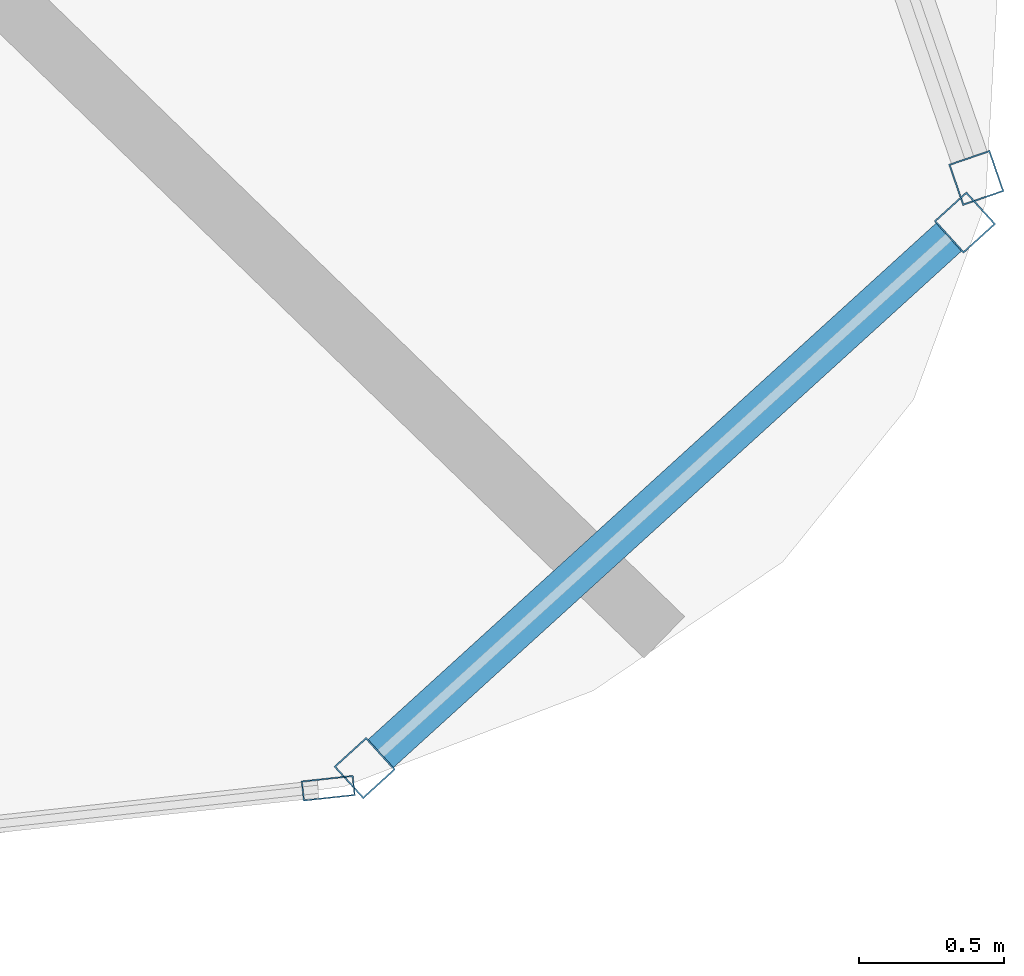
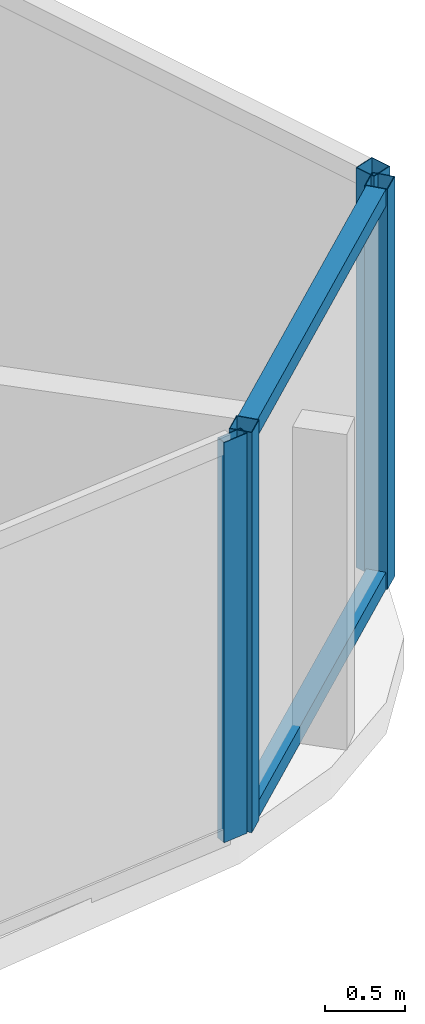
# One storey, part 14 of 34: 6 members, 3 elements without a shape of their own.
"""IFC4 building model written with IfcOpenShell, lengths in metres."""

from ifc_helpers import new_model, si_unit, direction, frame, origin, origin_2d, place, context, subcontext, project, spatial, hollow_rectangle, extrude, material, layer, layer_set, material_profile, profile_set, type_object, element, aggregate, save


model = new_model("IFC4")

# Units and contexts
model_context = context("Model", 3, precision=1e-05, world=origin(), true_north=direction((0.0, 1.0)))
body_context = subcontext(model_context, "Body", "Model", "MODEL_VIEW")
ifc_project = project(units=[si_unit("LENGTHUNIT", "METRE"), si_unit("AREAUNIT", "SQUARE_METRE"), si_unit("VOLUMEUNIT", "CUBIC_METRE"), si_unit("PLANEANGLEUNIT", "RADIAN"), si_unit("MASSUNIT", "GRAM", prefix="KILO")], contexts=[model_context])

# Site, building, storey
site_placement = place(None, origin())
site = spatial("IfcSite", under=ifc_project, at=site_placement, CompositionType="ELEMENT")
building_placement = place(site_placement, origin())
building = spatial("IfcBuilding", under=site, at=building_placement, Name="Orvanel Arch Residences", CompositionType="ELEMENT")
storey_placement = place(building_placement, frame((0.0, 0.0, 64.25)))
storey = spatial("IfcBuildingStorey", under=building, at=storey_placement, Name="L17", CompositionType="ELEMENT", Elevation=64.25)

# Curtain wall, members
ifc_material = material(Name="Bronze-anodised aluminium AA6063-T6", Category="aluminium")
ifc_layer_1 = layer(ifc_material, 0.18994140625)
ifc_layer_set_1 = layer_set([ifc_layer_1], Name="Bronze-anodised aluminium AA6063-T6")
curtain_wall_type_1 = type_object("IfcCurtainWallType", Name="CW5-CRN-SYS", PredefinedType="NOTDEFINED", material=ifc_layer_set_1)
curtain_wall_1_placement = place(storey_placement, origin())
curtain_wall_1 = element("IfcCurtainWall", 1, at=curtain_wall_1_placement, inside=storey, type_object=curtain_wall_type_1, Name="L17 CW5-CRN-SYS Unitised Curtain Wall", PredefinedType="NOTDEFINED")
ifc_material_profile_1 = material_profile(ifc_material, hollow_rectangle(XDim=0.14990234375, YDim=0.14990234375, WallThickness=0.0048828125, at=origin_2d()), Name="ALU150x150x5")
ifc_profile_set_1 = profile_set([ifc_material_profile_1], Name="Bronze-anodised aluminium AA6063-T6")
member_type_1 = type_object("IfcMemberType", Name="MUL-150x150", PredefinedType="MULLION", material=ifc_profile_set_1)
member_1_placement = place(storey_placement, frame((58.722412109375, 4.115478515625, 0.0), z_axis=(0.0, 0.0, 1.0), x_axis=(-0.672621989793, 0.73998625585, 0.0)))
member_1 = element("IfcMember", 2, at=member_1_placement, type_object=member_type_1, Name="CW-S5 mullion 1", PredefinedType="MULLION", context=body_context, shape_type="SweptSolid", body=[
    extrude(hollow_rectangle(XDim=0.14990234375, YDim=0.14990234375, WallThickness=0.0048828125, at=origin_2d()), origin(), (0.0, 0.0, 1.0), 3.06005859375),
])
member_2_placement = place(storey_placement, frame((60.78662109375, 5.991455078125, 0.0), z_axis=(0.0, 0.0, 1.0), x_axis=(-0.672621989793, 0.73998625585, 0.0)))
member_2 = element("IfcMember", 3, at=member_2_placement, type_object=member_type_1, Name="CW-S5 mullion 2", PredefinedType="MULLION", context=body_context, shape_type="SweptSolid", body=[
    extrude(hollow_rectangle(XDim=0.14990234375, YDim=0.14990234375, WallThickness=0.0048828125, at=origin_2d()), origin(), (0.0, 0.0, 1.0), 3.06005859375),
])

# Curtain wall, member
curtain_wall_2_placement = place(storey_placement, origin())
curtain_wall_2 = element("IfcCurtainWall", 4, at=curtain_wall_2_placement, inside=storey, type_object=curtain_wall_type_1, Name="L17 CW5-CRN-SYS Unitised Curtain Wall", PredefinedType="NOTDEFINED")
member_3_placement = place(storey_placement, frame((60.82568359375, 6.14501953125, 0.0), z_axis=(0.0, 0.0, 1.0), x_axis=(-0.945657194416, -0.325165297425, 0.0)))
member_3 = element("IfcMember", 5, at=member_3_placement, type_object=member_type_1, Name="CW-S5 mullion 1", PredefinedType="MULLION", context=body_context, shape_type="SweptSolid", body=[
    extrude(hollow_rectangle(XDim=0.14990234375, YDim=0.14990234375, WallThickness=0.0048828125, at=origin_2d()), origin(), (0.0, 0.0, 1.0), 3.06005859375),
])
aggregate(curtain_wall_2, [member_3])

ifc_layer_2 = layer(ifc_material, 0.179931640625)
ifc_layer_set_2 = layer_set([ifc_layer_2], Name="Bronze-anodised aluminium AA6063-T6")
curtain_wall_type_2 = type_object("IfcCurtainWallType", Name="CW2-LOW-SYS", PredefinedType="NOTDEFINED", material=ifc_layer_set_2)
curtain_wall_3_placement = place(storey_placement, origin())
curtain_wall_3 = element("IfcCurtainWall", 6, at=curtain_wall_3_placement, inside=storey, type_object=curtain_wall_type_2, Name="L17 CW2-LOW-SYS Unitised Curtain Wall", PredefinedType="NOTDEFINED")
ifc_material_profile_2 = material_profile(ifc_material, hollow_rectangle(XDim=0.070068359375, YDim=0.179931640625, WallThickness=0.00439453125, at=origin_2d()), Name="ALU180x70x4.5")
ifc_profile_set_2 = profile_set([ifc_material_profile_2], Name="Bronze-anodised aluminium AA6063-T6")
member_type_2 = type_object("IfcMemberType", Name="MUL-180x70", PredefinedType="MULLION", material=ifc_profile_set_2)
member_4_placement = place(storey_placement, frame((58.59716796875, 4.046142578125, 0.0), z_axis=(0.0, 0.0, 1.0), x_axis=(-0.107811076303, 0.994171399622, 0.0)))
member_4 = element("IfcMember", 7, at=member_4_placement, type_object=member_type_2, Name="CW-S2 mullion 4", PredefinedType="MULLION", context=body_context, shape_type="SweptSolid", body=[
    extrude(hollow_rectangle(XDim=0.070068359375, YDim=0.179931640625, WallThickness=0.00439453125, at=origin_2d()), origin(), (0.0, 0.0, 1.0), 3.06005859375),
])
aggregate(curtain_wall_3, [member_4])

# Member
ifc_material_profile_3 = material_profile(ifc_material, hollow_rectangle(XDim=0.1298828125, YDim=0.1298828125, WallThickness=0.00439453125, at=origin_2d()), Name="ALU130x130x4.5")
ifc_profile_set_3 = profile_set([ifc_material_profile_3], Name="Bronze-anodised aluminium AA6063-T6")
member_type_3 = type_object("IfcMemberType", Name="TRN-130x130", PredefinedType="USERDEFINED", material=ifc_profile_set_3)
member_5_placement = place(storey_placement, frame((58.778076171875, 4.165771484375, 0.06494140625), z_axis=(0.739931702024, 0.67268200239, 0.0), x_axis=(-0.67268200239, 0.739931702024, 0.0)))
member_5 = element("IfcMember", 8, at=member_5_placement, type_object=member_type_3, Name="CW-S5 transom 1.1", ObjectType="TRANSOM", PredefinedType="USERDEFINED", context=body_context, shape_type="SweptSolid", body=[
    extrude(hollow_rectangle(XDim=0.1298828125, YDim=0.1298828125, WallThickness=0.00439453125, at=origin_2d()), origin(), (0.0, 0.0, 1.0), 2.63916015625),
])

member_6_placement = place(storey_placement, frame((58.778076171875, 4.165771484375, 2.9951171875), z_axis=(0.739931702024, 0.67268200239, 0.0), x_axis=(-0.67268200239, 0.739931702024, 0.0)))
member_6 = element("IfcMember", 9, at=member_6_placement, type_object=member_type_3, Name="CW-S5 transom 1.2", ObjectType="TRANSOM", PredefinedType="USERDEFINED", context=body_context, shape_type="SweptSolid", body=[
    extrude(hollow_rectangle(XDim=0.1298828125, YDim=0.1298828125, WallThickness=0.00439453125, at=origin_2d()), origin(), (0.0, 0.0, 1.0), 2.63916015625),
])

aggregate(curtain_wall_1, [member_1, member_2, member_5, member_6])

save(model, "model.ifc")
